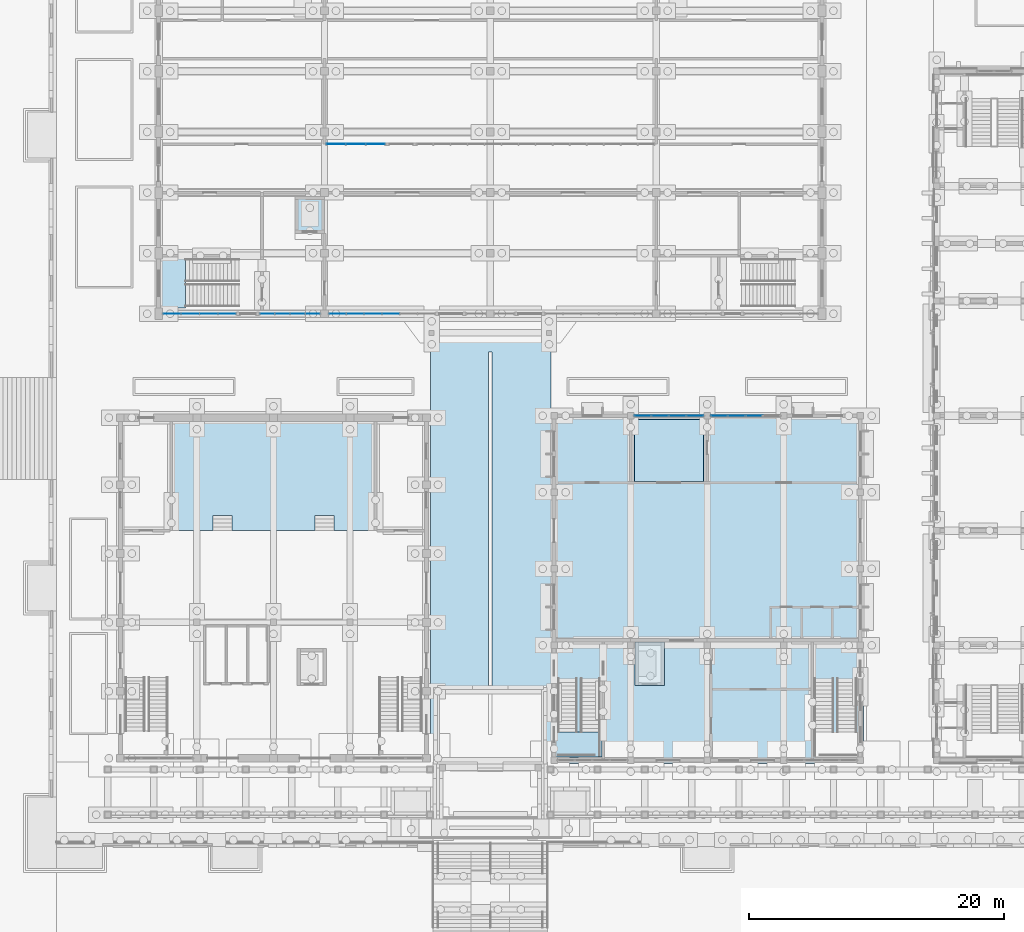
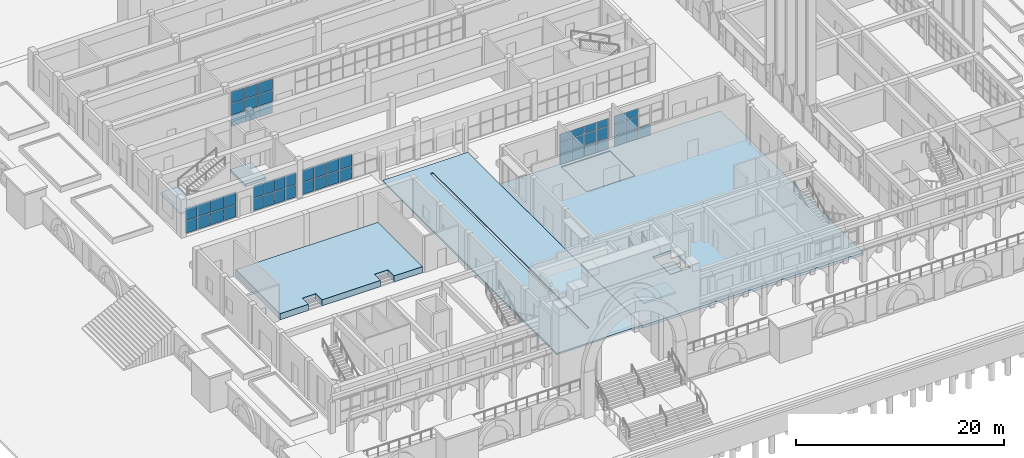
# One storey, part 41 of 161: 52 plates, 8 slabs, 8 elements without a shape of their own.
"""IFC4 building model written with IfcOpenShell, lengths in metres."""

from ifc_helpers import new_model, si_unit, direction, frame, origin, origin_2d, place, context, subcontext, project, spatial, polyline, rectangle, outline, extrude, material, layer, layer_set, type_object, element, aggregate, save


model = new_model("IFC4")

# Units and contexts
model_context = context("Model", 3, precision=1e-05, world=origin(), true_north=direction((0.0, 1.0)))
body_context = subcontext(model_context, "Body", "Model", "MODEL_VIEW")
ifc_project = project(units=[si_unit("LENGTHUNIT", "METRE"), si_unit("AREAUNIT", "SQUARE_METRE"), si_unit("VOLUMEUNIT", "CUBIC_METRE"), si_unit("PLANEANGLEUNIT", "RADIAN"), si_unit("MASSUNIT", "GRAM", prefix="KILO")], contexts=[model_context])

# Site, building, storey
site_placement = place(None, origin())
site = spatial("IfcSite", under=ifc_project, at=site_placement, CompositionType="ELEMENT")
building_placement = place(site_placement, origin())
building = spatial("IfcBuilding", under=site, at=building_placement, Name="Elbe Cascade School", CompositionType="ELEMENT")
storey_placement = place(building_placement, origin())
storey = spatial("IfcBuildingStorey", under=building, at=storey_placement, Name="L00", CompositionType="ELEMENT", Elevation=0.0)

# Slabs
ifc_material_1 = material(Name="Concrete C30/37", Category="concrete")
ifc_layer_1 = layer(ifc_material_1, 0.719970703125)
ifc_layer_set_1 = layer_set([ifc_layer_1], Name="Concrete C30/37")
slab_type_1 = type_object("IfcSlabType", Name="Assembly hall stage podium 720", PredefinedType="FLOOR", material=ifc_layer_set_1)
slab_1_placement = place(storey_placement, origin())
element("IfcSlab", 1, at=slab_1_placement, inside=storey, type_object=slab_type_1, Name="Assembly hall stage podium 720 S17", PredefinedType="FLOOR", context=body_context, shape_type="SweptSolid", body=[
    extrude(outline(polyline([(9.10009765625, 24.0), (9.10009765625, 32.550048828125), (24.89990234375, 32.550048828125), (24.89990234375, 24.0), (21.75, 24.0), (21.75, 25.199951171875), (20.25, 25.199951171875), (20.25, 24.0), (13.75, 24.0), (13.75, 25.199951171875), (12.25, 25.199951171875), (12.25, 24.0), (9.10009765625, 24.0)])), origin(), (0.0, 0.0, 1.0), 0.719970703125),
])
ifc_material_2 = material(Name="Concrete C30/37", Category="concrete")
ifc_layer_2 = layer(ifc_material_2, 0.300048828125)
ifc_layer_set_2 = layer_set([ifc_layer_2], Name="Concrete C30/37")
slab_type_2 = type_object("IfcSlabType", Name="Cafe lift pit slab 300", PredefinedType="BASESLAB", material=ifc_layer_set_2)
slab_2_placement = place(storey_placement, frame((0.0, 0.0, -1.60009765625)))
element("IfcSlab", 2, at=slab_2_placement, inside=storey, type_object=slab_type_2, Name="Cafe lift pit slab 300 S23", PredefinedType="BASESLAB", context=body_context, shape_type="SweptSolid", body=[
    extrude(outline(polyline([(47.64990234375, 11.85009765625), (47.64990234375, 15.25), (45.35009765625, 15.25), (45.35009765625, 11.85009765625), (47.64990234375, 11.85009765625)])), origin(), (0.0, 0.0, 1.0), 0.300048828125),
])

# Stair, slab
ifc_material_3 = material(Name="Concrete C30/37", Category="concrete")
stair_type_1 = type_object("IfcStairType", Name="Cafe wing dogleg stair", PredefinedType="HALF_TURN_STAIR", material=ifc_material_3)
stair_1_placement = place(storey_placement, origin())
stair_1 = element("IfcStair", 3, at=stair_1_placement, inside=storey, type_object=stair_type_1, Name="Cafe wing dogleg stair ST7", PredefinedType="HALF_TURN_STAIR")
ifc_material_4 = material(Name="Concrete C30/37", Category="concrete")
ifc_layer_3 = layer(ifc_material_4, 0.199951171875)
ifc_layer_set_3 = layer_set([ifc_layer_3], Name="Concrete C30/37")
slab_type_3 = type_object("IfcSlabType", Name="Cafe wing stair landing", PredefinedType="LANDING", material=ifc_layer_set_3)
slab_3_placement = place(storey_placement, frame((0.0, 0.0, 2.050048828125)))
slab_3 = element("IfcSlab", 4, at=slab_3_placement, type_object=slab_type_3, Name="ST7 landing 1", PredefinedType="LANDING", context=body_context, shape_type="SweptSolid", body=[
    extrude(outline(polyline([(39.14990234375, 6.25), (42.75, 6.25), (42.75, 8.199951171875), (39.14990234375, 8.199951171875), (39.14990234375, 6.25)])), origin(), (0.0, 0.0, 1.0), 0.199951171875),
])
aggregate(stair_1, [slab_3])

# Curtain wall, plates
ifc_material_5 = material(Name="Dining curtain wall")
curtain_wall_type_1 = type_object("IfcCurtainWallType", Name="Dining curtain wall", PredefinedType="NOTDEFINED", material=ifc_material_5)
curtain_wall_1_placement = place(storey_placement, origin())
curtain_wall_1 = element("IfcCurtainWall", 5, at=curtain_wall_1_placement, inside=storey, type_object=curtain_wall_type_1, Name="Curtain wall CW2 DI.L00.cw.hn1", PredefinedType="NOTDEFINED")
ifc_material_6 = material(Name="Glass - double glazed low-E", Category="glass")
ifc_layer_4 = layer(ifc_material_6, 0.028076171875)
ifc_layer_set_4 = layer_set([ifc_layer_4], Name="Glass - double glazed low-E")
plate_type_1 = type_object("IfcPlateType", Name="Dining curtain wall glazing panel 28", PredefinedType="CURTAIN_PANEL", material=ifc_layer_set_4)
plate_1_placement = place(storey_placement, frame((45.952392578125, 33.0, 0.06005859375), z_axis=(0.0, 0.0, 1.0), x_axis=(1.0, 0.0, 0.0)))
plate_1 = element("IfcPlate", 6, at=plate_1_placement, type_object=plate_type_1, Name="CW2 panel 1.1", PredefinedType="CURTAIN_PANEL", context=body_context, shape_type="SweptSolid", body=[
    extrude(rectangle(XDim=1.284912109375, YDim=0.028076171875, at=origin_2d()), origin(), (0.0, 0.0, 1.0), 1.260009765625),
])
plate_2_placement = place(storey_placement, frame((45.952392578125, 33.0, 1.3798828125), z_axis=(0.0, 0.0, 1.0), x_axis=(1.0, 0.0, 0.0)))
plate_2 = element("IfcPlate", 7, at=plate_2_placement, type_object=plate_type_1, Name="CW2 panel 1.2", PredefinedType="CURTAIN_PANEL", context=body_context, shape_type="SweptSolid", body=[
    extrude(rectangle(XDim=1.284912109375, YDim=0.028076171875, at=origin_2d()), origin(), (0.0, 0.0, 1.0), 1.2900390625),
])
plate_3_placement = place(storey_placement, frame((45.952392578125, 33.0, 2.72998046875), z_axis=(0.0, 0.0, 1.0), x_axis=(1.0, 0.0, 0.0)))
plate_3 = element("IfcPlate", 8, at=plate_3_placement, type_object=plate_type_1, Name="CW2 panel 1.3", PredefinedType="CURTAIN_PANEL", context=body_context, shape_type="SweptSolid", body=[
    extrude(rectangle(XDim=1.284912109375, YDim=0.028076171875, at=origin_2d()), origin(), (0.0, 0.0, 1.0), 0.909912109375),
])
plate_4_placement = place(storey_placement, frame((47.3125, 33.0, 0.06005859375), z_axis=(0.0, 0.0, 1.0), x_axis=(1.0, 0.0, 0.0)))
plate_4 = element("IfcPlate", 9, at=plate_4_placement, type_object=plate_type_1, Name="CW2 panel 2.1", PredefinedType="CURTAIN_PANEL", context=body_context, shape_type="SweptSolid", body=[
    extrude(rectangle(XDim=1.31494140625, YDim=0.028076171875, at=origin_2d()), origin(), (0.0, 0.0, 1.0), 1.260009765625),
])
plate_5_placement = place(storey_placement, frame((47.3125, 33.0, 1.3798828125), z_axis=(0.0, 0.0, 1.0), x_axis=(1.0, 0.0, 0.0)))
plate_5 = element("IfcPlate", 10, at=plate_5_placement, type_object=plate_type_1, Name="CW2 panel 2.2", PredefinedType="CURTAIN_PANEL", context=body_context, shape_type="SweptSolid", body=[
    extrude(rectangle(XDim=1.31494140625, YDim=0.028076171875, at=origin_2d()), origin(), (0.0, 0.0, 1.0), 1.2900390625),
])
plate_6_placement = place(storey_placement, frame((47.3125, 33.0, 2.72998046875), z_axis=(0.0, 0.0, 1.0), x_axis=(1.0, 0.0, 0.0)))
plate_6 = element("IfcPlate", 11, at=plate_6_placement, type_object=plate_type_1, Name="CW2 panel 2.3", PredefinedType="CURTAIN_PANEL", context=body_context, shape_type="SweptSolid", body=[
    extrude(rectangle(XDim=1.31494140625, YDim=0.028076171875, at=origin_2d()), origin(), (0.0, 0.0, 1.0), 0.909912109375),
])
plate_7_placement = place(storey_placement, frame((48.6875, 33.0, 0.06005859375), z_axis=(0.0, 0.0, 1.0), x_axis=(1.0, 0.0, 0.0)))
plate_7 = element("IfcPlate", 12, at=plate_7_placement, type_object=plate_type_1, Name="CW2 panel 3.1", PredefinedType="CURTAIN_PANEL", context=body_context, shape_type="SweptSolid", body=[
    extrude(rectangle(XDim=1.31494140625, YDim=0.028076171875, at=origin_2d()), origin(), (0.0, 0.0, 1.0), 1.260009765625),
])
plate_8_placement = place(storey_placement, frame((48.6875, 33.0, 1.3798828125), z_axis=(0.0, 0.0, 1.0), x_axis=(1.0, 0.0, 0.0)))
plate_8 = element("IfcPlate", 13, at=plate_8_placement, type_object=plate_type_1, Name="CW2 panel 3.2", PredefinedType="CURTAIN_PANEL", context=body_context, shape_type="SweptSolid", body=[
    extrude(rectangle(XDim=1.31494140625, YDim=0.028076171875, at=origin_2d()), origin(), (0.0, 0.0, 1.0), 1.2900390625),
])
plate_9_placement = place(storey_placement, frame((48.6875, 33.0, 2.72998046875), z_axis=(0.0, 0.0, 1.0), x_axis=(1.0, 0.0, 0.0)))
plate_9 = element("IfcPlate", 14, at=plate_9_placement, type_object=plate_type_1, Name="CW2 panel 3.3", PredefinedType="CURTAIN_PANEL", context=body_context, shape_type="SweptSolid", body=[
    extrude(rectangle(XDim=1.31494140625, YDim=0.028076171875, at=origin_2d()), origin(), (0.0, 0.0, 1.0), 0.909912109375),
])
plate_10_placement = place(storey_placement, frame((50.047607421875, 33.0, 0.06005859375), z_axis=(0.0, 0.0, 1.0), x_axis=(1.0, 0.0, 0.0)))
plate_10 = element("IfcPlate", 15, at=plate_10_placement, type_object=plate_type_1, Name="CW2 panel 4.1", PredefinedType="CURTAIN_PANEL", context=body_context, shape_type="SweptSolid", body=[
    extrude(rectangle(XDim=1.284912109375, YDim=0.028076171875, at=origin_2d()), origin(), (0.0, 0.0, 1.0), 1.260009765625),
])
plate_11_placement = place(storey_placement, frame((50.047607421875, 33.0, 1.3798828125), z_axis=(0.0, 0.0, 1.0), x_axis=(1.0, 0.0, 0.0)))
plate_11 = element("IfcPlate", 16, at=plate_11_placement, type_object=plate_type_1, Name="CW2 panel 4.2", PredefinedType="CURTAIN_PANEL", context=body_context, shape_type="SweptSolid", body=[
    extrude(rectangle(XDim=1.284912109375, YDim=0.028076171875, at=origin_2d()), origin(), (0.0, 0.0, 1.0), 1.2900390625),
])
plate_12_placement = place(storey_placement, frame((50.047607421875, 33.0, 2.72998046875), z_axis=(0.0, 0.0, 1.0), x_axis=(1.0, 0.0, 0.0)))
plate_12 = element("IfcPlate", 17, at=plate_12_placement, type_object=plate_type_1, Name="CW2 panel 4.3", PredefinedType="CURTAIN_PANEL", context=body_context, shape_type="SweptSolid", body=[
    extrude(rectangle(XDim=1.284912109375, YDim=0.028076171875, at=origin_2d()), origin(), (0.0, 0.0, 1.0), 0.909912109375),
])
aggregate(curtain_wall_1, [plate_1, plate_2, plate_3, plate_4, plate_5, plate_6, plate_7, plate_8, plate_9, plate_10, plate_11, plate_12])

curtain_wall_2_placement = place(storey_placement, origin())
curtain_wall_2 = element("IfcCurtainWall", 18, at=curtain_wall_2_placement, inside=storey, type_object=curtain_wall_type_1, Name="Curtain wall CW2 DI.L00.cw.hn2", PredefinedType="NOTDEFINED")
plate_13_placement = place(storey_placement, frame((51.952392578125, 33.0, 0.06005859375), z_axis=(0.0, 0.0, 1.0), x_axis=(1.0, 0.0, 0.0)))
plate_13 = element("IfcPlate", 19, at=plate_13_placement, type_object=plate_type_1, Name="CW2 panel 1.1", PredefinedType="CURTAIN_PANEL", context=body_context, shape_type="SweptSolid", body=[
    extrude(rectangle(XDim=1.284912109375, YDim=0.028076171875, at=origin_2d()), origin(), (0.0, 0.0, 1.0), 1.260009765625),
])
plate_14_placement = place(storey_placement, frame((51.952392578125, 33.0, 1.3798828125), z_axis=(0.0, 0.0, 1.0), x_axis=(1.0, 0.0, 0.0)))
plate_14 = element("IfcPlate", 20, at=plate_14_placement, type_object=plate_type_1, Name="CW2 panel 1.2", PredefinedType="CURTAIN_PANEL", context=body_context, shape_type="SweptSolid", body=[
    extrude(rectangle(XDim=1.284912109375, YDim=0.028076171875, at=origin_2d()), origin(), (0.0, 0.0, 1.0), 1.2900390625),
])
plate_15_placement = place(storey_placement, frame((51.952392578125, 33.0, 2.72998046875), z_axis=(0.0, 0.0, 1.0), x_axis=(1.0, 0.0, 0.0)))
plate_15 = element("IfcPlate", 21, at=plate_15_placement, type_object=plate_type_1, Name="CW2 panel 1.3", PredefinedType="CURTAIN_PANEL", context=body_context, shape_type="SweptSolid", body=[
    extrude(rectangle(XDim=1.284912109375, YDim=0.028076171875, at=origin_2d()), origin(), (0.0, 0.0, 1.0), 0.909912109375),
])
plate_16_placement = place(storey_placement, frame((53.3125, 33.0, 0.06005859375), z_axis=(0.0, 0.0, 1.0), x_axis=(1.0, 0.0, 0.0)))
plate_16 = element("IfcPlate", 22, at=plate_16_placement, type_object=plate_type_1, Name="CW2 panel 2.1", PredefinedType="CURTAIN_PANEL", context=body_context, shape_type="SweptSolid", body=[
    extrude(rectangle(XDim=1.31494140625, YDim=0.028076171875, at=origin_2d()), origin(), (0.0, 0.0, 1.0), 1.260009765625),
])
plate_17_placement = place(storey_placement, frame((53.3125, 33.0, 1.3798828125), z_axis=(0.0, 0.0, 1.0), x_axis=(1.0, 0.0, 0.0)))
plate_17 = element("IfcPlate", 23, at=plate_17_placement, type_object=plate_type_1, Name="CW2 panel 2.2", PredefinedType="CURTAIN_PANEL", context=body_context, shape_type="SweptSolid", body=[
    extrude(rectangle(XDim=1.31494140625, YDim=0.028076171875, at=origin_2d()), origin(), (0.0, 0.0, 1.0), 1.2900390625),
])
plate_18_placement = place(storey_placement, frame((53.3125, 33.0, 2.72998046875), z_axis=(0.0, 0.0, 1.0), x_axis=(1.0, 0.0, 0.0)))
plate_18 = element("IfcPlate", 24, at=plate_18_placement, type_object=plate_type_1, Name="CW2 panel 2.3", PredefinedType="CURTAIN_PANEL", context=body_context, shape_type="SweptSolid", body=[
    extrude(rectangle(XDim=1.31494140625, YDim=0.028076171875, at=origin_2d()), origin(), (0.0, 0.0, 1.0), 0.909912109375),
])
plate_19_placement = place(storey_placement, frame((54.6875, 33.0, 0.06005859375), z_axis=(0.0, 0.0, 1.0), x_axis=(1.0, 0.0, 0.0)))
plate_19 = element("IfcPlate", 25, at=plate_19_placement, type_object=plate_type_1, Name="CW2 panel 3.1", PredefinedType="CURTAIN_PANEL", context=body_context, shape_type="SweptSolid", body=[
    extrude(rectangle(XDim=1.31494140625, YDim=0.028076171875, at=origin_2d()), origin(), (0.0, 0.0, 1.0), 1.260009765625),
])
aggregate(curtain_wall_2, [plate_13, plate_14, plate_15, plate_16, plate_17, plate_18, plate_19])

# Slabs
ifc_material_7 = material(Name="Concrete C30/37", Category="concrete")
ifc_layer_5 = layer(ifc_material_7, 0.22509765625)
ifc_layer_set_5 = layer_set([ifc_layer_5], Name="Concrete C30/37")
slab_type_4 = type_object("IfcSlabType", Name="Dining servery recess slab 225", PredefinedType="BASESLAB", material=ifc_layer_set_5)
slab_4_placement = place(storey_placement, frame((0.0, 0.0, -0.300048828125)))
element("IfcSlab", 26, at=slab_4_placement, inside=storey, type_object=slab_type_4, Name="Dining servery recess slab 225 S19", PredefinedType="BASESLAB", context=body_context, shape_type="SweptSolid", body=[
    extrude(outline(polyline([(50.699951171875, 27.85009765625), (50.699951171875, 32.699951171875), (45.300048828125, 32.699951171875), (45.300048828125, 27.85009765625), (50.699951171875, 27.85009765625)])), origin(), (0.0, 0.0, 1.0), 0.22509765625),
])
ifc_material_8 = material(Name="Concrete C30/37", Category="concrete")
ifc_layer_6 = layer(ifc_material_8, 0.300048828125)
ifc_layer_set_6 = layer_set([ifc_layer_6], Name="Concrete C30/37")
slab_type_5 = type_object("IfcSlabType", Name="Dining wing ground slab 300", PredefinedType="BASESLAB", material=ifc_layer_set_6)
slab_5_placement = place(storey_placement, frame((0.0, 0.0, -0.300048828125)))
element("IfcSlab", 27, at=slab_5_placement, inside=storey, type_object=slab_type_5, Name="Dining wing ground slab 300 S20", PredefinedType="BASESLAB", context=body_context, shape_type="SweptSolid", body=[
    extrude(outline(polyline([(38.75, 5.75), (38.75, 33.14990234375), (63.25, 33.14990234375), (63.25, 5.75), (38.75, 5.75)]), holes=[polyline([(47.64990234375, 11.85009765625), (47.64990234375, 15.25), (45.35009765625, 15.25), (45.35009765625, 11.85009765625), (47.64990234375, 11.85009765625)]), polyline([(50.699951171875, 27.85009765625), (50.699951171875, 32.699951171875), (45.300048828125, 32.699951171875), (45.300048828125, 27.85009765625), (50.699951171875, 27.85009765625)])]), origin(), (0.0, 0.0, 1.0), 0.300048828125),
])

# Curtain wall, plates
ifc_material_9 = material(Name="Glass - double glazed low-E", Category="glass")
curtain_wall_type_2 = type_object("IfcCurtainWallType", Name="Hall gable curtain wall", PredefinedType="NOTDEFINED", material=ifc_material_9)
curtain_wall_3_placement = place(storey_placement, origin())
curtain_wall_3 = element("IfcCurtainWall", 28, at=curtain_wall_3_placement, inside=storey, type_object=curtain_wall_type_2, Name="Entrance front curtain wall 1", PredefinedType="NOTDEFINED")
ifc_material_10 = material(Name="Glass - double glazed low-E", Category="glass")
ifc_layer_7 = layer(ifc_material_10, 0.028076171875)
ifc_layer_set_7 = layer_set([ifc_layer_7], Name="Glass - double glazed low-E")
plate_type_2 = type_object("IfcPlateType", Name="Hall gable glass panel", PredefinedType="CURTAIN_PANEL", material=ifc_layer_set_7)
plate_20_placement = place(storey_placement, frame((9.0400390625, 41.0, 0.06005859375), z_axis=(0.0, 0.0, 1.0), x_axis=(1.0, 0.0, 0.0)))
plate_20 = element("IfcPlate", 29, at=plate_20_placement, type_object=plate_type_2, Name="CW6 panel 1.1", PredefinedType="CURTAIN_PANEL", context=body_context, shape_type="SweptSolid", body=[
    extrude(rectangle(XDim=1.360107421875, YDim=0.028076171875, at=origin_2d()), origin(), (0.0, 0.0, 1.0), 1.43505859375),
])
plate_21_placement = place(storey_placement, frame((9.0400390625, 41.0, 1.554931640625), z_axis=(0.0, 0.0, 1.0), x_axis=(1.0, 0.0, 0.0)))
plate_21 = element("IfcPlate", 30, at=plate_21_placement, type_object=plate_type_2, Name="CW6 panel 1.2", PredefinedType="CURTAIN_PANEL", context=body_context, shape_type="SweptSolid", body=[
    extrude(rectangle(XDim=1.360107421875, YDim=0.028076171875, at=origin_2d()), origin(), (0.0, 0.0, 1.0), 1.43505859375),
])
plate_22_placement = place(storey_placement, frame((10.47509765625, 41.0, 0.06005859375), z_axis=(0.0, 0.0, 1.0), x_axis=(1.0, 0.0, 0.0)))
plate_22 = element("IfcPlate", 31, at=plate_22_placement, type_object=plate_type_2, Name="CW6 panel 2.1", PredefinedType="CURTAIN_PANEL", context=body_context, shape_type="SweptSolid", body=[
    extrude(rectangle(XDim=1.389892578125, YDim=0.028076171875, at=origin_2d()), origin(), (0.0, 0.0, 1.0), 1.43505859375),
])
plate_23_placement = place(storey_placement, frame((10.47509765625, 41.0, 1.554931640625), z_axis=(0.0, 0.0, 1.0), x_axis=(1.0, 0.0, 0.0)))
plate_23 = element("IfcPlate", 32, at=plate_23_placement, type_object=plate_type_2, Name="CW6 panel 2.2", PredefinedType="CURTAIN_PANEL", context=body_context, shape_type="SweptSolid", body=[
    extrude(rectangle(XDim=1.389892578125, YDim=0.028076171875, at=origin_2d()), origin(), (0.0, 0.0, 1.0), 1.43505859375),
])
plate_24_placement = place(storey_placement, frame((11.925048828125, 41.0, 0.06005859375), z_axis=(0.0, 0.0, 1.0), x_axis=(1.0, 0.0, 0.0)))
plate_24 = element("IfcPlate", 33, at=plate_24_placement, type_object=plate_type_2, Name="CW6 panel 3.1", PredefinedType="CURTAIN_PANEL", context=body_context, shape_type="SweptSolid", body=[
    extrude(rectangle(XDim=1.389892578125, YDim=0.028076171875, at=origin_2d()), origin(), (0.0, 0.0, 1.0), 1.43505859375),
])
plate_25_placement = place(storey_placement, frame((11.925048828125, 41.0, 1.554931640625), z_axis=(0.0, 0.0, 1.0), x_axis=(1.0, 0.0, 0.0)))
plate_25 = element("IfcPlate", 34, at=plate_25_placement, type_object=plate_type_2, Name="CW6 panel 3.2", PredefinedType="CURTAIN_PANEL", context=body_context, shape_type="SweptSolid", body=[
    extrude(rectangle(XDim=1.389892578125, YDim=0.028076171875, at=origin_2d()), origin(), (0.0, 0.0, 1.0), 1.43505859375),
])
plate_26_placement = place(storey_placement, frame((13.360107421875, 41.0, 0.06005859375), z_axis=(0.0, 0.0, 1.0), x_axis=(1.0, 0.0, 0.0)))
plate_26 = element("IfcPlate", 35, at=plate_26_placement, type_object=plate_type_2, Name="CW6 panel 4.1", PredefinedType="CURTAIN_PANEL", context=body_context, shape_type="SweptSolid", body=[
    extrude(rectangle(XDim=1.360107421875, YDim=0.028076171875, at=origin_2d()), origin(), (0.0, 0.0, 1.0), 1.43505859375),
])
plate_27_placement = place(storey_placement, frame((13.360107421875, 41.0, 1.554931640625), z_axis=(0.0, 0.0, 1.0), x_axis=(1.0, 0.0, 0.0)))
plate_27 = element("IfcPlate", 36, at=plate_27_placement, type_object=plate_type_2, Name="CW6 panel 4.2", PredefinedType="CURTAIN_PANEL", context=body_context, shape_type="SweptSolid", body=[
    extrude(rectangle(XDim=1.360107421875, YDim=0.028076171875, at=origin_2d()), origin(), (0.0, 0.0, 1.0), 1.43505859375),
])
aggregate(curtain_wall_3, [plate_20, plate_21, plate_22, plate_23, plate_24, plate_25, plate_26, plate_27])

curtain_wall_4_placement = place(storey_placement, origin())
curtain_wall_4 = element("IfcCurtainWall", 37, at=curtain_wall_4_placement, inside=storey, type_object=curtain_wall_type_2, Name="Entrance front curtain wall 2", PredefinedType="NOTDEFINED")
plate_28_placement = place(storey_placement, frame((16.514892578125, 41.0, 0.06005859375), z_axis=(0.0, 0.0, 1.0), x_axis=(1.0, 0.0, 0.0)))
plate_28 = element("IfcPlate", 38, at=plate_28_placement, type_object=plate_type_2, Name="CW6 panel 1.1", PredefinedType="CURTAIN_PANEL", context=body_context, shape_type="SweptSolid", body=[
    extrude(rectangle(XDim=1.110107421875, YDim=0.028076171875, at=origin_2d()), origin(), (0.0, 0.0, 1.0), 1.43505859375),
])
plate_29_placement = place(storey_placement, frame((16.514892578125, 41.0, 1.554931640625), z_axis=(0.0, 0.0, 1.0), x_axis=(1.0, 0.0, 0.0)))
plate_29 = element("IfcPlate", 39, at=plate_29_placement, type_object=plate_type_2, Name="CW6 panel 1.2", PredefinedType="CURTAIN_PANEL", context=body_context, shape_type="SweptSolid", body=[
    extrude(rectangle(XDim=1.110107421875, YDim=0.028076171875, at=origin_2d()), origin(), (0.0, 0.0, 1.0), 1.43505859375),
])
plate_30_placement = place(storey_placement, frame((17.699951171875, 41.0, 0.06005859375), z_axis=(0.0, 0.0, 1.0), x_axis=(1.0, 0.0, 0.0)))
plate_30 = element("IfcPlate", 40, at=plate_30_placement, type_object=plate_type_2, Name="CW6 panel 2.1", PredefinedType="CURTAIN_PANEL", context=body_context, shape_type="SweptSolid", body=[
    extrude(rectangle(XDim=1.139892578125, YDim=0.028076171875, at=origin_2d()), origin(), (0.0, 0.0, 1.0), 1.43505859375),
])
plate_31_placement = place(storey_placement, frame((17.699951171875, 41.0, 1.554931640625), z_axis=(0.0, 0.0, 1.0), x_axis=(1.0, 0.0, 0.0)))
plate_31 = element("IfcPlate", 41, at=plate_31_placement, type_object=plate_type_2, Name="CW6 panel 2.2", PredefinedType="CURTAIN_PANEL", context=body_context, shape_type="SweptSolid", body=[
    extrude(rectangle(XDim=1.139892578125, YDim=0.028076171875, at=origin_2d()), origin(), (0.0, 0.0, 1.0), 1.43505859375),
])
plate_32_placement = place(storey_placement, frame((18.89990234375, 41.0, 0.06005859375), z_axis=(0.0, 0.0, 1.0), x_axis=(1.0, 0.0, 0.0)))
plate_32 = element("IfcPlate", 42, at=plate_32_placement, type_object=plate_type_2, Name="CW6 panel 3.1", PredefinedType="CURTAIN_PANEL", context=body_context, shape_type="SweptSolid", body=[
    extrude(rectangle(XDim=1.139892578125, YDim=0.028076171875, at=origin_2d()), origin(), (0.0, 0.0, 1.0), 1.43505859375),
])
plate_33_placement = place(storey_placement, frame((18.89990234375, 41.0, 1.554931640625), z_axis=(0.0, 0.0, 1.0), x_axis=(1.0, 0.0, 0.0)))
plate_33 = element("IfcPlate", 43, at=plate_33_placement, type_object=plate_type_2, Name="CW6 panel 3.2", PredefinedType="CURTAIN_PANEL", context=body_context, shape_type="SweptSolid", body=[
    extrude(rectangle(XDim=1.139892578125, YDim=0.028076171875, at=origin_2d()), origin(), (0.0, 0.0, 1.0), 1.43505859375),
])
plate_34_placement = place(storey_placement, frame((20.0849609375, 41.0, 0.06005859375), z_axis=(0.0, 0.0, 1.0), x_axis=(1.0, 0.0, 0.0)))
plate_34 = element("IfcPlate", 44, at=plate_34_placement, type_object=plate_type_2, Name="CW6 panel 4.1", PredefinedType="CURTAIN_PANEL", context=body_context, shape_type="SweptSolid", body=[
    extrude(rectangle(XDim=1.110107421875, YDim=0.028076171875, at=origin_2d()), origin(), (0.0, 0.0, 1.0), 1.43505859375),
])
plate_35_placement = place(storey_placement, frame((20.0849609375, 41.0, 1.554931640625), z_axis=(0.0, 0.0, 1.0), x_axis=(1.0, 0.0, 0.0)))
plate_35 = element("IfcPlate", 45, at=plate_35_placement, type_object=plate_type_2, Name="CW6 panel 4.2", PredefinedType="CURTAIN_PANEL", context=body_context, shape_type="SweptSolid", body=[
    extrude(rectangle(XDim=1.110107421875, YDim=0.028076171875, at=origin_2d()), origin(), (0.0, 0.0, 1.0), 1.43505859375),
])
aggregate(curtain_wall_4, [plate_28, plate_29, plate_30, plate_31, plate_32, plate_33, plate_34, plate_35])

curtain_wall_5_placement = place(storey_placement, origin())
curtain_wall_5 = element("IfcCurtainWall", 46, at=curtain_wall_5_placement, inside=storey, type_object=curtain_wall_type_2, Name="Entrance front curtain wall 3", PredefinedType="NOTDEFINED")
plate_36_placement = place(storey_placement, frame((22.014892578125, 41.0, 0.06005859375), z_axis=(0.0, 0.0, 1.0), x_axis=(1.0, 0.0, 0.0)))
plate_36 = element("IfcPlate", 47, at=plate_36_placement, type_object=plate_type_2, Name="CW6 panel 1.1", PredefinedType="CURTAIN_PANEL", context=body_context, shape_type="SweptSolid", body=[
    extrude(rectangle(XDim=1.31005859375, YDim=0.028076171875, at=origin_2d()), origin(), (0.0, 0.0, 1.0), 1.43505859375),
])
plate_37_placement = place(storey_placement, frame((22.014892578125, 41.0, 1.554931640625), z_axis=(0.0, 0.0, 1.0), x_axis=(1.0, 0.0, 0.0)))
plate_37 = element("IfcPlate", 48, at=plate_37_placement, type_object=plate_type_2, Name="CW6 panel 1.2", PredefinedType="CURTAIN_PANEL", context=body_context, shape_type="SweptSolid", body=[
    extrude(rectangle(XDim=1.31005859375, YDim=0.028076171875, at=origin_2d()), origin(), (0.0, 0.0, 1.0), 1.43505859375),
])
plate_38_placement = place(storey_placement, frame((23.39990234375, 41.0, 0.06005859375), z_axis=(0.0, 0.0, 1.0), x_axis=(1.0, 0.0, 0.0)))
plate_38 = element("IfcPlate", 49, at=plate_38_placement, type_object=plate_type_2, Name="CW6 panel 2.1", PredefinedType="CURTAIN_PANEL", context=body_context, shape_type="SweptSolid", body=[
    extrude(rectangle(XDim=1.340087890625, YDim=0.028076171875, at=origin_2d()), origin(), (0.0, 0.0, 1.0), 1.43505859375),
])
plate_39_placement = place(storey_placement, frame((23.39990234375, 41.0, 1.554931640625), z_axis=(0.0, 0.0, 1.0), x_axis=(1.0, 0.0, 0.0)))
plate_39 = element("IfcPlate", 50, at=plate_39_placement, type_object=plate_type_2, Name="CW6 panel 2.2", PredefinedType="CURTAIN_PANEL", context=body_context, shape_type="SweptSolid", body=[
    extrude(rectangle(XDim=1.340087890625, YDim=0.028076171875, at=origin_2d()), origin(), (0.0, 0.0, 1.0), 1.43505859375),
])
plate_40_placement = place(storey_placement, frame((24.800048828125, 41.0, 0.06005859375), z_axis=(0.0, 0.0, 1.0), x_axis=(1.0, 0.0, 0.0)))
plate_40 = element("IfcPlate", 51, at=plate_40_placement, type_object=plate_type_2, Name="CW6 panel 3.1", PredefinedType="CURTAIN_PANEL", context=body_context, shape_type="SweptSolid", body=[
    extrude(rectangle(XDim=1.340087890625, YDim=0.028076171875, at=origin_2d()), origin(), (0.0, 0.0, 1.0), 1.43505859375),
])
plate_41_placement = place(storey_placement, frame((24.800048828125, 41.0, 1.554931640625), z_axis=(0.0, 0.0, 1.0), x_axis=(1.0, 0.0, 0.0)))
plate_41 = element("IfcPlate", 52, at=plate_41_placement, type_object=plate_type_2, Name="CW6 panel 3.2", PredefinedType="CURTAIN_PANEL", context=body_context, shape_type="SweptSolid", body=[
    extrude(rectangle(XDim=1.340087890625, YDim=0.028076171875, at=origin_2d()), origin(), (0.0, 0.0, 1.0), 1.43505859375),
])
plate_42_placement = place(storey_placement, frame((26.199951171875, 41.0, 0.06005859375), z_axis=(0.0, 0.0, 1.0), x_axis=(1.0, 0.0, 0.0)))
plate_42 = element("IfcPlate", 53, at=plate_42_placement, type_object=plate_type_2, Name="CW6 panel 4.1", PredefinedType="CURTAIN_PANEL", context=body_context, shape_type="SweptSolid", body=[
    extrude(rectangle(XDim=1.340087890625, YDim=0.028076171875, at=origin_2d()), origin(), (0.0, 0.0, 1.0), 1.43505859375),
])
plate_43_placement = place(storey_placement, frame((26.199951171875, 41.0, 1.554931640625), z_axis=(0.0, 0.0, 1.0), x_axis=(1.0, 0.0, 0.0)))
plate_43 = element("IfcPlate", 54, at=plate_43_placement, type_object=plate_type_2, Name="CW6 panel 4.2", PredefinedType="CURTAIN_PANEL", context=body_context, shape_type="SweptSolid", body=[
    extrude(rectangle(XDim=1.340087890625, YDim=0.028076171875, at=origin_2d()), origin(), (0.0, 0.0, 1.0), 1.43505859375),
])
aggregate(curtain_wall_5, [plate_36, plate_37, plate_38, plate_39, plate_40, plate_41, plate_42, plate_43])

curtain_wall_6_placement = place(storey_placement, origin())
curtain_wall_6 = element("IfcCurtainWall", 55, at=curtain_wall_6_placement, inside=storey, type_object=curtain_wall_type_2, Name="Studio front curtain wall 1", PredefinedType="NOTDEFINED")
plate_44_placement = place(storey_placement, frame((21.8984375, 54.300048828125, 0.06005859375), z_axis=(0.0, 0.0, 1.0), x_axis=(1.0, 0.0, 0.0)))
plate_44 = element("IfcPlate", 56, at=plate_44_placement, type_object=plate_type_2, Name="CW6 panel 1.1", PredefinedType="CURTAIN_PANEL", context=body_context, shape_type="SweptSolid", body=[
    extrude(rectangle(XDim=1.4765625, YDim=0.028076171875, at=origin_2d()), origin(), (0.0, 0.0, 1.0), 1.293212890625),
])
plate_45_placement = place(storey_placement, frame((21.8984375, 54.300048828125, 1.4130859375), z_axis=(0.0, 0.0, 1.0), x_axis=(1.0, 0.0, 0.0)))
plate_45 = element("IfcPlate", 57, at=plate_45_placement, type_object=plate_type_2, Name="CW6 panel 1.2", PredefinedType="CURTAIN_PANEL", context=body_context, shape_type="SweptSolid", body=[
    extrude(rectangle(XDim=1.4765625, YDim=0.028076171875, at=origin_2d()), origin(), (0.0, 0.0, 1.0), 1.323486328125),
])
plate_46_placement = place(storey_placement, frame((21.8984375, 54.300048828125, 2.796875), z_axis=(0.0, 0.0, 1.0), x_axis=(1.0, 0.0, 0.0)))
plate_46 = element("IfcPlate", 58, at=plate_46_placement, type_object=plate_type_2, Name="CW6 panel 1.3", PredefinedType="CURTAIN_PANEL", context=body_context, shape_type="SweptSolid", body=[
    extrude(rectangle(XDim=1.4765625, YDim=0.028076171875, at=origin_2d()), origin(), (0.0, 0.0, 1.0), 1.293212890625),
])
plate_47_placement = place(storey_placement, frame((23.449951171875, 54.300048828125, 0.06005859375), z_axis=(0.0, 0.0, 1.0), x_axis=(1.0, 0.0, 0.0)))
plate_47 = element("IfcPlate", 59, at=plate_47_placement, type_object=plate_type_2, Name="CW6 panel 2.1", PredefinedType="CURTAIN_PANEL", context=body_context, shape_type="SweptSolid", body=[
    extrude(rectangle(XDim=1.506591796875, YDim=0.028076171875, at=origin_2d()), origin(), (0.0, 0.0, 1.0), 1.293212890625),
])
plate_48_placement = place(storey_placement, frame((23.449951171875, 54.300048828125, 1.4130859375), z_axis=(0.0, 0.0, 1.0), x_axis=(1.0, 0.0, 0.0)))
plate_48 = element("IfcPlate", 60, at=plate_48_placement, type_object=plate_type_2, Name="CW6 panel 2.2", PredefinedType="CURTAIN_PANEL", context=body_context, shape_type="SweptSolid", body=[
    extrude(rectangle(XDim=1.506591796875, YDim=0.028076171875, at=origin_2d()), origin(), (0.0, 0.0, 1.0), 1.323486328125),
])
plate_49_placement = place(storey_placement, frame((23.449951171875, 54.300048828125, 2.796875), z_axis=(0.0, 0.0, 1.0), x_axis=(1.0, 0.0, 0.0)))
plate_49 = element("IfcPlate", 61, at=plate_49_placement, type_object=plate_type_2, Name="CW6 panel 2.3", PredefinedType="CURTAIN_PANEL", context=body_context, shape_type="SweptSolid", body=[
    extrude(rectangle(XDim=1.506591796875, YDim=0.028076171875, at=origin_2d()), origin(), (0.0, 0.0, 1.0), 1.293212890625),
])
plate_50_placement = place(storey_placement, frame((25.001708984375, 54.300048828125, 0.06005859375), z_axis=(0.0, 0.0, 1.0), x_axis=(1.0, 0.0, 0.0)))
plate_50 = element("IfcPlate", 62, at=plate_50_placement, type_object=plate_type_2, Name="CW6 panel 3.1", PredefinedType="CURTAIN_PANEL", context=body_context, shape_type="SweptSolid", body=[
    extrude(rectangle(XDim=1.4765625, YDim=0.028076171875, at=origin_2d()), origin(), (0.0, 0.0, 1.0), 1.293212890625),
])
plate_51_placement = place(storey_placement, frame((25.001708984375, 54.300048828125, 1.4130859375), z_axis=(0.0, 0.0, 1.0), x_axis=(1.0, 0.0, 0.0)))
plate_51 = element("IfcPlate", 63, at=plate_51_placement, type_object=plate_type_2, Name="CW6 panel 3.2", PredefinedType="CURTAIN_PANEL", context=body_context, shape_type="SweptSolid", body=[
    extrude(rectangle(XDim=1.4765625, YDim=0.028076171875, at=origin_2d()), origin(), (0.0, 0.0, 1.0), 1.323486328125),
])
plate_52_placement = place(storey_placement, frame((25.001708984375, 54.300048828125, 2.796875), z_axis=(0.0, 0.0, 1.0), x_axis=(1.0, 0.0, 0.0)))
plate_52 = element("IfcPlate", 64, at=plate_52_placement, type_object=plate_type_2, Name="CW6 panel 3.3", PredefinedType="CURTAIN_PANEL", context=body_context, shape_type="SweptSolid", body=[
    extrude(rectangle(XDim=1.4765625, YDim=0.028076171875, at=origin_2d()), origin(), (0.0, 0.0, 1.0), 1.293212890625),
])
aggregate(curtain_wall_6, [plate_44, plate_45, plate_46, plate_47, plate_48, plate_49, plate_50, plate_51, plate_52])

# Slab
ifc_material_11 = material(Name="Concrete C30/37", Category="concrete")
ifc_layer_8 = layer(ifc_material_11, 0.300048828125)
ifc_layer_set_8 = layer_set([ifc_layer_8], Name="Concrete C30/37")
slab_type_6 = type_object("IfcSlabType", Name="Hall lift pit slab Concrete C30/37", PredefinedType="BASESLAB", material=ifc_layer_set_8)
slab_6_placement = place(storey_placement, frame((0.0, 0.0, -1.89990234375)))
element("IfcSlab", 65, at=slab_6_placement, inside=storey, type_object=slab_type_6, Name="Lift pit slab", PredefinedType="BASESLAB", context=body_context, shape_type="SweptSolid", body=[
    extrude(outline(polyline([(18.699951171875, 47.300048828125), (21.0, 47.300048828125), (21.0, 50.199951171875), (18.699951171875, 50.199951171875), (18.699951171875, 47.300048828125)])), origin(), (0.0, 0.0, 1.0), 0.2998046875),
])

# Stair, slab
ifc_material_12 = material(Name="Concrete C30/37", Category="concrete")
stair_type_2 = type_object("IfcStairType", Name="Hall exit stair Concrete C30/37", PredefinedType="HALF_TURN_STAIR", material=ifc_material_12)
stair_2_placement = place(storey_placement, origin())
stair_2 = element("IfcStair", 66, at=stair_2_placement, inside=storey, type_object=stair_type_2, Name="Exit stair W", PredefinedType="HALF_TURN_STAIR")
ifc_material_13 = material(Name="Concrete C30/37", Category="concrete")
ifc_layer_9 = layer(ifc_material_13, 0.199951171875)
ifc_layer_set_9 = layer_set([ifc_layer_9], Name="Concrete C30/37")
slab_type_7 = type_object("IfcSlabType", Name="Hall stair landing Concrete C30/37", PredefinedType="LANDING", material=ifc_layer_set_9)
slab_7_placement = place(storey_placement, frame((0.0, 0.0, 2.050048828125)))
slab_7 = element("IfcSlab", 67, at=slab_7_placement, type_object=slab_type_7, Name="ST4 landing 1", PredefinedType="LANDING", context=body_context, shape_type="SweptSolid", body=[
    extrude(outline(polyline([(8.14990234375, 41.449951171875), (10.10009765625, 41.449951171875), (10.10009765625, 45.449951171875), (8.300048828125, 45.449951171875), (8.300048828125, 45.300048828125), (8.14990234375, 45.300048828125), (8.14990234375, 41.449951171875)])), origin(), (0.0, 0.0, 1.0), 0.199951171875),
])
aggregate(stair_2, [slab_7])

# Slab
ifc_material_14 = material(Name="Concrete C30/37", Category="concrete")
ifc_layer_10 = layer(ifc_material_14, 0.199951171875)
ifc_layer_set_10 = layer_set([ifc_layer_10], Name="Concrete C30/37")
slab_type_8 = type_object("IfcSlabType", Name="Paving slab 200", PredefinedType="BASESLAB", material=ifc_layer_set_10)
slab_8_placement = place(storey_placement, frame((0.0, 0.0, -0.199951171875)))
element("IfcSlab", 68, at=slab_8_placement, inside=storey, type_object=slab_type_8, Name="Gate court paving", PredefinedType="BASESLAB", context=body_context, shape_type="SweptSolid", body=[
    extrude(outline(polyline([(38.39990234375, 39.300048828125), (29.60009765625, 39.300048828125), (29.300048828125, 39.300048828125), (29.300048828125, 33.14990234375), (29.300048828125, 32.550048828125), (29.300048828125, 27.89990234375), (29.300048828125, 27.300048828125), (29.300048828125, 22.5), (29.300048828125, 21.89990234375), (29.300048828125, 17.10009765625), (29.300048828125, 16.5), (29.300048828125, 11.699951171875), (29.300048828125, 11.10009765625), (29.300048828125, 6.449951171875), (29.300048828125, 5.85009765625), (29.300048828125, 5.85009765625), (38.75, 5.85009765625), (38.75, 6.25), (38.75, 14.75), (38.75, 15.25), (38.75, 20.75), (38.75, 21.25), (38.75, 26.75), (38.75, 27.25), (38.75, 32.75), (38.75, 33.14990234375), (38.75, 33.25), (38.75, 39.300048828125), (38.39990234375, 39.300048828125)]), holes=[polyline([(34.14990234375, 8.0), (33.85009765625, 8.0), (33.85009765625, 38.0), (34.14990234375, 38.0), (34.14990234375, 8.0)])]), origin(), (0.0, 0.0, 1.0), 0.199951171875),
])

save(model, "model.ifc")
